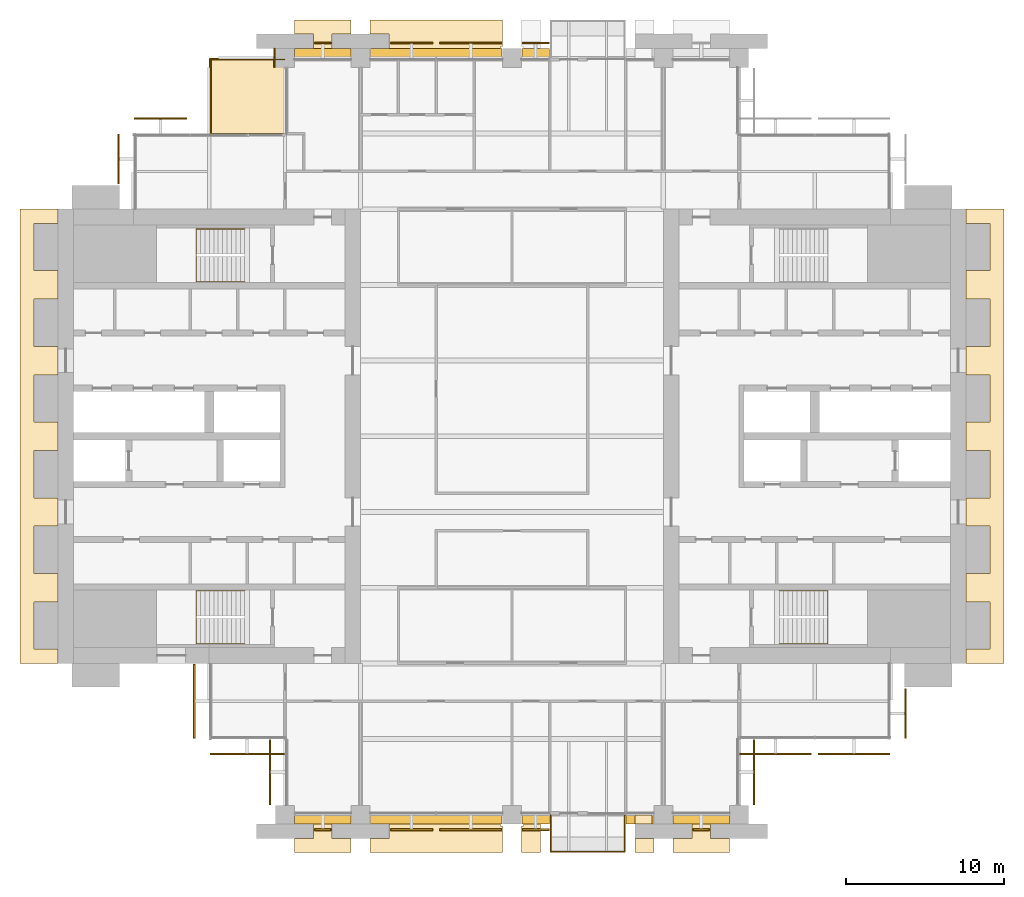
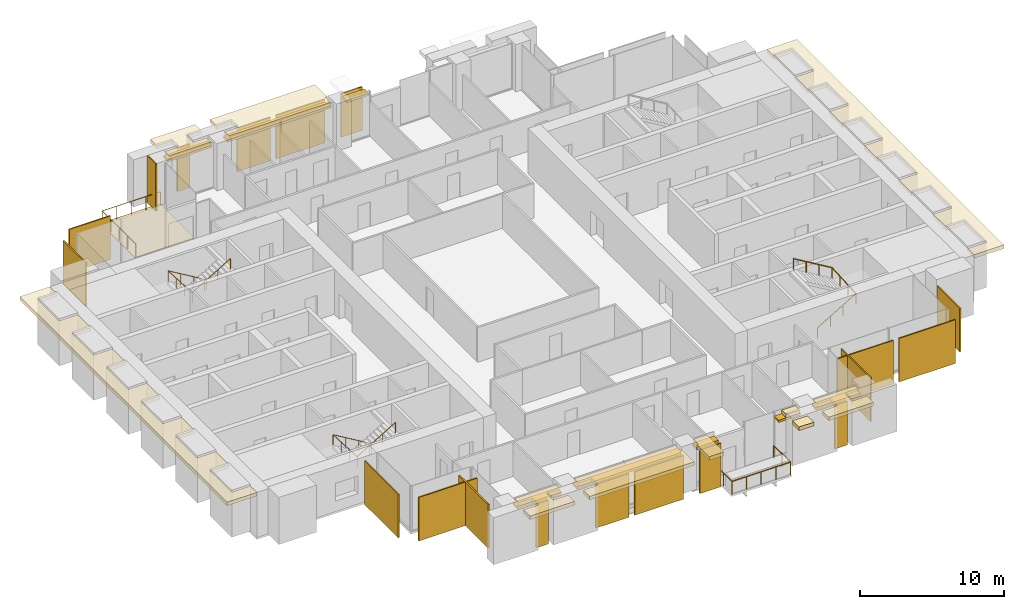
# One storey, part 14 of 15: 30 coverings, 8 shading devices, 5 railings.
"""IFC4 building model written with IfcOpenShell, lengths in metres."""

from ifc_helpers import new_model, si_unit, direction, frame, origin, origin_2d, place, context, subcontext, project, spatial, polyline, rectangle, circle, outline, extrude, material, layer, layer_set, type_object, element, save


model = new_model("IFC4")

# Units and contexts
model_context = context("Model", 3, precision=1e-05, world=origin(), true_north=direction((0.0, 1.0)))
body_context = subcontext(model_context, "Body", "Model", "MODEL_VIEW")
ifc_project = project(units=[si_unit("LENGTHUNIT", "METRE"), si_unit("AREAUNIT", "SQUARE_METRE"), si_unit("VOLUMEUNIT", "CUBIC_METRE"), si_unit("PLANEANGLEUNIT", "RADIAN"), si_unit("MASSUNIT", "GRAM", prefix="KILO")], contexts=[model_context])

# Site, building, storey
site_placement = place(None, origin())
site = spatial("IfcSite", under=ifc_project, at=site_placement, CompositionType="ELEMENT")
building_placement = place(site_placement, origin())
building = spatial("IfcBuilding", under=site, at=building_placement, Name="Baori Bourse Tower", CompositionType="ELEMENT")
storey_placement = place(building_placement, frame((0.0, 0.0, 116.10009765625)))
storey = spatial("IfcBuildingStorey", under=building, at=storey_placement, Name="L24", CompositionType="ELEMENT", Elevation=116.10009765625)

# Coverings
ifc_material_1 = material(Name="Pale anodised aluminium", Category="aluminium")
covering_type_1 = type_object("IfcCoveringType", Name="BD1 Pale metal band", PredefinedType="CLADDING", material=ifc_material_1)
covering_1_placement = place(storey_placement, frame((0.0, 0.0, 3.539794921875)))
element("IfcCovering", 1, at=covering_1_placement, inside=storey, type_object=covering_type_1, Name="Pale projecting band L24 1", PredefinedType="CLADDING", context=body_context, shape_type="SweptSolid", body=[
    extrude(outline(polyline([(57.60009765625, 10.5), (57.60009765625, 9.60009765625), (60.0, 9.60009765625), (60.0, 38.39990234375), (57.60009765625, 38.39990234375), (57.60009765625, 37.5), (59.10009765625, 37.5), (59.10009765625, 34.5), (57.60009765625, 34.5), (57.60009765625, 32.699951171875), (59.10009765625, 32.699951171875), (59.10009765625, 29.699951171875), (57.60009765625, 29.699951171875), (57.60009765625, 27.89990234375), (59.10009765625, 27.89990234375), (59.10009765625, 24.89990234375), (57.60009765625, 24.89990234375), (57.60009765625, 23.10009765625), (59.10009765625, 23.10009765625), (59.10009765625, 20.10009765625), (57.60009765625, 20.10009765625), (57.60009765625, 18.300048828125), (59.10009765625, 18.300048828125), (59.10009765625, 15.300048828125), (57.60009765625, 15.300048828125), (57.60009765625, 13.5), (59.10009765625, 13.5), (59.10009765625, 10.5), (57.60009765625, 10.5)])), origin(), (0.0, 0.0, 1.0), 0.300048828125),
])
covering_2_placement = place(storey_placement, frame((0.0, 0.0, 3.539794921875)))
element("IfcCovering", 2, at=covering_2_placement, inside=storey, type_object=covering_type_1, Name="Pale projecting band L24 6", PredefinedType="CLADDING", context=body_context, shape_type="SweptSolid", body=[
    extrude(outline(polyline([(19.919921875, 48.0), (28.080078125, 48.0), (28.080078125, 48.719970703125), (28.199951171875, 48.719970703125), (28.199951171875, 50.39990234375), (19.800048828125, 50.39990234375), (19.800048828125, 49.5), (21.0, 49.5), (21.0, 48.60009765625), (19.919921875, 48.60009765625), (19.919921875, 48.0)])), origin(), (0.0, 0.0, 1.0), 0.300048828125),
])
covering_3_placement = place(storey_placement, frame((0.0, 0.0, 3.539794921875)))
element("IfcCovering", 3, at=covering_3_placement, inside=storey, type_object=covering_type_1, Name="Pale projecting band L24 7", PredefinedType="CLADDING", context=body_context, shape_type="SweptSolid", body=[
    extrude(outline(polyline([(15.1201171875, 48.0), (18.47998046875, 48.0), (18.47998046875, 48.60009765625), (17.39990234375, 48.60009765625), (17.39990234375, 49.5), (18.60009765625, 49.5), (18.60009765625, 50.39990234375), (15.0, 50.39990234375), (15.0, 49.5), (16.199951171875, 49.5), (16.199951171875, 48.60009765625), (15.1201171875, 48.60009765625), (15.1201171875, 48.0)])), origin(), (0.0, 0.0, 1.0), 0.300048828125),
])
covering_4_placement = place(storey_placement, frame((0.0, 0.0, 3.539794921875)))
element("IfcCovering", 4, at=covering_4_placement, inside=storey, type_object=covering_type_1, Name="Pale projecting band L24 8", PredefinedType="CLADDING", context=body_context, shape_type="SweptSolid", body=[
    extrude(outline(polyline([(0.0, 37.5), (0.0, 38.39990234375), (-2.39990234375, 38.39990234375), (-2.39990234375, 9.60009765625), (0.0, 9.60009765625), (0.0, 10.5), (-1.5, 10.5), (-1.5, 13.5), (0.0, 13.5), (0.0, 15.300048828125), (-1.5, 15.300048828125), (-1.5, 18.300048828125), (0.0, 18.300048828125), (0.0, 20.10009765625), (-1.5, 20.10009765625), (-1.5, 23.10009765625), (0.0, 23.10009765625), (0.0, 24.89990234375), (-1.5, 24.89990234375), (-1.5, 27.89990234375), (0.0, 27.89990234375), (0.0, 29.699951171875), (-1.5, 29.699951171875), (-1.5, 32.699951171875), (0.0, 32.699951171875), (0.0, 34.5), (-1.5, 34.5), (-1.5, 37.5), (0.0, 37.5)])), origin(), (0.0, 0.0, 1.0), 0.300048828125),
])
covering_5_placement = place(storey_placement, frame((0.0, 0.0, 3.539794921875)))
element("IfcCovering", 5, at=covering_5_placement, inside=storey, type_object=covering_type_1, Name="Pale projecting band L24 9", PredefinedType="CLADDING", context=body_context, shape_type="SweptSolid", body=[
    extrude(outline(polyline([(18.47998046875, 0.0), (15.1201171875, 0.0), (15.1201171875, -0.60009765625), (16.199951171875, -0.60009765625), (16.199951171875, -1.5), (15.0, -1.5), (15.0, -2.39990234375), (18.60009765625, -2.39990234375), (18.60009765625, -1.5), (17.39990234375, -1.5), (17.39990234375, -0.60009765625), (18.47998046875, -0.60009765625), (18.47998046875, 0.0)])), origin(), (0.0, 0.0, 1.0), 0.300048828125),
])
covering_6_placement = place(storey_placement, frame((0.0, 0.0, 3.539794921875)))
element("IfcCovering", 6, at=covering_6_placement, inside=storey, type_object=covering_type_1, Name="Pale projecting band L24 10", PredefinedType="CLADDING", context=body_context, shape_type="SweptSolid", body=[
    extrude(outline(polyline([(28.080078125, 0.0), (19.919921875, 0.0), (19.919921875, -0.60009765625), (21.0, -0.60009765625), (21.0, -1.5), (19.800048828125, -1.5), (19.800048828125, -2.39990234375), (28.199951171875, -2.39990234375), (28.199951171875, -0.719970703125), (28.080078125, -0.719970703125), (28.080078125, 0.0)])), origin(), (0.0, 0.0, 1.0), 0.300048828125),
])
covering_7_placement = place(storey_placement, frame((0.0, 0.0, 3.539794921875)))
element("IfcCovering", 7, at=covering_7_placement, inside=storey, type_object=covering_type_1, Name="Pale projecting band L24 11", PredefinedType="CLADDING", context=body_context, shape_type="SweptSolid", body=[
    extrude(outline(polyline([(30.60009765625, 0.0), (29.52001953125, 0.0), (29.52001953125, -0.719970703125), (29.39990234375, -0.719970703125), (29.39990234375, -2.39990234375), (30.60009765625, -2.39990234375), (30.60009765625, 0.0)])), origin(), (0.0, 0.0, 1.0), 0.300048828125),
])
covering_8_placement = place(storey_placement, frame((0.0, 0.0, 3.539794921875)))
element("IfcCovering", 8, at=covering_8_placement, inside=storey, type_object=covering_type_1, Name="Pale projecting band L24 12", PredefinedType="CLADDING", context=body_context, shape_type="SweptSolid", body=[
    extrude(outline(polyline([(37.800048828125, -2.39990234375), (37.800048828125, -1.5), (36.60009765625, -1.5), (36.60009765625, -2.39990234375), (37.800048828125, -2.39990234375)])), origin(), (0.0, 0.0, 1.0), 0.300048828125),
])
covering_9_placement = place(storey_placement, frame((0.0, 0.0, 3.539794921875)))
element("IfcCovering", 9, at=covering_9_placement, inside=storey, type_object=covering_type_1, Name="Pale projecting band L24 13", PredefinedType="CLADDING", context=body_context, shape_type="SweptSolid", body=[
    extrude(outline(polyline([(37.679931640625, 0.0), (36.60009765625, 0.0), (36.60009765625, -0.60009765625), (37.679931640625, -0.60009765625), (37.679931640625, 0.0)])), origin(), (0.0, 0.0, 1.0), 0.300048828125),
])
covering_10_placement = place(storey_placement, frame((0.0, 0.0, 3.539794921875)))
element("IfcCovering", 10, at=covering_10_placement, inside=storey, type_object=covering_type_1, Name="Pale projecting band L24 14", PredefinedType="CLADDING", context=body_context, shape_type="SweptSolid", body=[
    extrude(outline(polyline([(42.47998046875, 0.0), (39.1201171875, 0.0), (39.1201171875, -0.60009765625), (40.199951171875, -0.60009765625), (40.199951171875, -1.5), (39.0, -1.5), (39.0, -2.39990234375), (42.60009765625, -2.39990234375), (42.60009765625, -1.5), (41.39990234375, -1.5), (41.39990234375, -0.60009765625), (42.47998046875, -0.60009765625), (42.47998046875, 0.0)])), origin(), (0.0, 0.0, 1.0), 0.300048828125),
])

# Shading devices
ifc_material_2 = material(Name="Concrete f'c 40 MPa", Category="concrete")
ifc_layer_1 = layer(ifc_material_2, 0.199951171875)
ifc_layer_set_1 = layer_set([ifc_layer_1], Name="BS1 Brise-soleil ledge")
shading_device_type = type_object("IfcShadingDeviceType", Name="BS1 Brise-soleil ledge", PredefinedType="USERDEFINED", material=ifc_layer_set_1)
shading_device_1_placement = place(storey_placement, frame((30.300048828125, 48.300048828125, 3.33984375), z_axis=(0.0, 0.0, 1.0), x_axis=(-1.0, 0.0, 0.0)))
element("IfcShadingDevice", 11, at=shading_device_1_placement, inside=storey, type_object=shading_device_type, Name="Brise-soleil ledge L24 3", ObjectType="BRISE SOLEIL", PredefinedType="USERDEFINED", context=body_context, shape_type="SweptSolid", body=[
    extrude(rectangle(XDim=1.760009765625, YDim=0.60009765625, at=origin_2d()), origin(), (0.0, 0.0, 1.0), 0.199951171875),
])
shading_device_2_placement = place(storey_placement, frame((24.0, 48.300048828125, 3.33984375), z_axis=(0.0, 0.0, 1.0), x_axis=(-1.0, 0.0, 0.0)))
element("IfcShadingDevice", 12, at=shading_device_2_placement, inside=storey, type_object=shading_device_type, Name="Brise-soleil ledge L24 4", ObjectType="BRISE SOLEIL", PredefinedType="USERDEFINED", context=body_context, shape_type="SweptSolid", body=[
    extrude(rectangle(XDim=8.360107421875, YDim=0.60009765625, at=origin_2d()), origin(), (0.0, 0.0, 1.0), 0.199951171875),
])
for number, where, z_axis, x_axis, name in (
    (13, (16.800048828125, 48.300048828125, 3.33984375), (0.0, 0.0, 1.0), (-1.0, 0.0, 0.0), "Brise-soleil ledge L24 5"),
    (14, (16.800048828125, -0.300048828125, 3.33984375), (0.0, 0.0, 1.0), (1.0, 0.0, 0.0), "Brise-soleil ledge L24 6"),
):
    element("IfcShadingDevice", number, at=place(storey_placement, frame(where, z_axis=z_axis, x_axis=x_axis)), inside=storey, type_object=shading_device_type, Name=name, ObjectType="BRISE SOLEIL", PredefinedType="USERDEFINED", context=body_context, shape_type="SweptSolid", body=[
        extrude(rectangle(XDim=3.56005859375, YDim=0.60009765625, at=origin_2d()), origin(), (0.0, 0.0, 1.0), 0.199951171875),
    ])
shading_device_3_placement = place(storey_placement, frame((24.0, -0.300048828125, 3.33984375), z_axis=(0.0, 0.0, 1.0), x_axis=(1.0, 0.0, 0.0)))
element("IfcShadingDevice", 15, at=shading_device_3_placement, inside=storey, type_object=shading_device_type, Name="Brise-soleil ledge L24 7", ObjectType="BRISE SOLEIL", PredefinedType="USERDEFINED", context=body_context, shape_type="SweptSolid", body=[
    extrude(rectangle(XDim=8.360107421875, YDim=0.60009765625, at=origin_2d()), origin(), (0.0, 0.0, 1.0), 0.199951171875),
])
for number, where, z_axis, x_axis, name in (
    (16, (30.300048828125, -0.300048828125, 3.33984375), (0.0, 0.0, 1.0), (1.0, 0.0, 0.0), "Brise-soleil ledge L24 8"),
    (17, (36.89990234375, -0.300048828125, 3.33984375), (0.0, 0.0, 1.0), (1.0, 0.0, 0.0), "Brise-soleil ledge L24 9"),
):
    element("IfcShadingDevice", number, at=place(storey_placement, frame(where, z_axis=z_axis, x_axis=x_axis)), inside=storey, type_object=shading_device_type, Name=name, ObjectType="BRISE SOLEIL", PredefinedType="USERDEFINED", context=body_context, shape_type="SweptSolid", body=[
        extrude(rectangle(XDim=1.760009765625, YDim=0.60009765625, at=origin_2d()), origin(), (0.0, 0.0, 1.0), 0.199951171875),
    ])
shading_device_4_placement = place(storey_placement, frame((40.800048828125, -0.300048828125, 3.33984375), z_axis=(0.0, 0.0, 1.0), x_axis=(1.0, 0.0, 0.0)))
element("IfcShadingDevice", 18, at=shading_device_4_placement, inside=storey, type_object=shading_device_type, Name="Brise-soleil ledge L24 10", ObjectType="BRISE SOLEIL", PredefinedType="USERDEFINED", context=body_context, shape_type="SweptSolid", body=[
    extrude(rectangle(XDim=3.56005859375, YDim=0.60009765625, at=origin_2d()), origin(), (0.0, 0.0, 1.0), 0.199951171875),
])

# Railings
ifc_material_3 = material(Name="Powder-coated steel balustrade", Category="steel")
railing_type_1 = type_object("IfcRailingType", Name="Core stair handrail", PredefinedType="HANDRAIL", material=ifc_material_3)
railing_1_placement = place(storey_placement, frame((11.85009765625, 14.199951171875, 0.16650390625)))
element("IfcRailing", 19, at=railing_1_placement, inside=storey, type_object=railing_type_1, Name="L24 ST1 stair handrail 1", PredefinedType="HANDRAIL", context=body_context, shape_type="SweptSolid", body=[
    extrude(circle(Radius=0.02392578125, at=origin_2d()), frame((0.0, 0.0, 0.8759765625), z_axis=(-0.85927862911, 0.0, 0.511507807912), x_axis=(0.0, -1.0, 0.0)), (0.0, 0.0, 1.0), 3.58447265625),
    extrude(circle(Radius=0.02392578125, at=origin_2d()), frame((-3.080078125, 0.0, 2.70947265625), z_axis=(0.0, -0.998766999029, 0.049643545903), x_axis=(1.0, 0.0, 0.0)), (0.0, 0.0, 1.0), 3.35400390625),
    extrude(circle(Radius=0.02392578125, at=origin_2d()), frame((-3.080078125, -3.349853515625, 2.8759765625), z_axis=(0.85927862911, 0.0, 0.511507807912), x_axis=(0.0, 1.0, 0.0)), (0.0, 0.0, 1.0), 3.58447265625),
    extrude(circle(Radius=0.02099609375, at=origin_2d()), origin(), (0.0, 0.0, 1.0), 0.851806640625),
    extrude(circle(Radius=0.02099609375, at=origin_2d()), frame((-1.026611328125, 0.0, 0.611083984375)), (0.0, 0.0, 1.0), 0.851806640625),
    extrude(circle(Radius=0.02099609375, at=origin_2d()), frame((-2.053466796875, 0.0, 1.222412109375)), (0.0, 0.0, 1.0), 0.851806640625),
    extrude(circle(Radius=0.02099609375, at=origin_2d()), frame((-3.080078125, 0.0, 1.83349609375)), (0.0, 0.0, 1.0), 0.851806640625),
    extrude(circle(Radius=0.02099609375, at=origin_2d()), frame((-3.080078125, -1.11669921875, 1.888916015625)), (0.0, 0.0, 1.0), 0.851806640625),
    extrude(circle(Radius=0.02099609375, at=origin_2d()), frame((-3.080078125, -2.233154296875, 1.944580078125)), (0.0, 0.0, 1.0), 0.851806640625),
    extrude(circle(Radius=0.02099609375, at=origin_2d()), frame((-3.080078125, -3.349853515625, 2.0)), (0.0, 0.0, 1.0), 0.851806640625),
    extrude(circle(Radius=0.02099609375, at=origin_2d()), frame((-2.053466796875, -3.349853515625, 2.611083984375)), (0.0, 0.0, 1.0), 0.851806640625),
    extrude(circle(Radius=0.02099609375, at=origin_2d()), frame((-1.026611328125, -3.349853515625, 3.222412109375)), (0.0, 0.0, 1.0), 0.851806640625),
    extrude(circle(Radius=0.02099609375, at=origin_2d()), frame((0.0, -3.349853515625, 3.83349609375)), (0.0, 0.0, 1.0), 0.851806640625),
])
railing_2_placement = place(storey_placement, frame((11.85009765625, 37.14990234375, 0.16650390625)))
element("IfcRailing", 20, at=railing_2_placement, inside=storey, type_object=railing_type_1, Name="L24 ST2 stair handrail 1", PredefinedType="HANDRAIL", context=body_context, shape_type="SweptSolid", body=[
    extrude(circle(Radius=0.02392578125, at=origin_2d()), frame((0.0, 0.0, 0.8759765625), z_axis=(-0.85927862911, 0.0, 0.511507807912), x_axis=(0.0, -1.0, 0.0)), (0.0, 0.0, 1.0), 3.58447265625),
    extrude(circle(Radius=0.02392578125, at=origin_2d()), frame((-3.080078125, 0.0, 2.70947265625), z_axis=(0.0, -0.998766999029, 0.049643545903), x_axis=(1.0, 0.0, 0.0)), (0.0, 0.0, 1.0), 3.35400390625),
    extrude(circle(Radius=0.02392578125, at=origin_2d()), frame((-3.080078125, -3.349853515625, 2.8759765625), z_axis=(0.85927862911, 0.0, 0.511507807912), x_axis=(0.0, 1.0, 0.0)), (0.0, 0.0, 1.0), 3.58447265625),
    extrude(circle(Radius=0.02099609375, at=origin_2d()), origin(), (0.0, 0.0, 1.0), 0.851806640625),
    extrude(circle(Radius=0.02099609375, at=origin_2d()), frame((-1.026611328125, 0.0, 0.611083984375)), (0.0, 0.0, 1.0), 0.851806640625),
    extrude(circle(Radius=0.02099609375, at=origin_2d()), frame((-2.053466796875, 0.0, 1.222412109375)), (0.0, 0.0, 1.0), 0.851806640625),
    extrude(circle(Radius=0.02099609375, at=origin_2d()), frame((-3.080078125, 0.0, 1.83349609375)), (0.0, 0.0, 1.0), 0.851806640625),
    extrude(circle(Radius=0.02099609375, at=origin_2d()), frame((-3.080078125, -1.11669921875, 1.888916015625)), (0.0, 0.0, 1.0), 0.851806640625),
    extrude(circle(Radius=0.02099609375, at=origin_2d()), frame((-3.080078125, -2.233154296875, 1.944580078125)), (0.0, 0.0, 1.0), 0.851806640625),
    extrude(circle(Radius=0.02099609375, at=origin_2d()), frame((-3.080078125, -3.349853515625, 2.0)), (0.0, 0.0, 1.0), 0.851806640625),
    extrude(circle(Radius=0.02099609375, at=origin_2d()), frame((-2.053466796875, -3.349853515625, 2.611083984375)), (0.0, 0.0, 1.0), 0.851806640625),
    extrude(circle(Radius=0.02099609375, at=origin_2d()), frame((-1.026611328125, -3.349853515625, 3.222412109375)), (0.0, 0.0, 1.0), 0.851806640625),
    extrude(circle(Radius=0.02099609375, at=origin_2d()), frame((0.0, -3.349853515625, 3.83349609375)), (0.0, 0.0, 1.0), 0.851806640625),
])
railing_3_placement = place(storey_placement, frame((45.75, 10.85009765625, 0.16650390625)))
element("IfcRailing", 21, at=railing_3_placement, inside=storey, type_object=railing_type_1, Name="L24 ST3 stair handrail 1", PredefinedType="HANDRAIL", context=body_context, shape_type="SweptSolid", body=[
    extrude(circle(Radius=0.02392578125, at=origin_2d()), frame((0.0, 0.0, 0.8759765625), z_axis=(0.85927862911, 0.0, 0.511507807912), x_axis=(0.0, 1.0, 0.0)), (0.0, 0.0, 1.0), 3.58447265625),
    extrude(circle(Radius=0.02392578125, at=origin_2d()), frame((3.080078125, 0.0, 2.70947265625), z_axis=(0.0, 0.998766999029, 0.049643545903), x_axis=(-1.0, 0.0, 0.0)), (0.0, 0.0, 1.0), 3.35400390625),
    extrude(circle(Radius=0.02392578125, at=origin_2d()), frame((3.080078125, 3.349853515625, 2.8759765625), z_axis=(-0.85927862911, 0.0, 0.511507807912), x_axis=(0.0, -1.0, 0.0)), (0.0, 0.0, 1.0), 3.58447265625),
    extrude(circle(Radius=0.02099609375, at=origin_2d()), origin(), (0.0, 0.0, 1.0), 0.851806640625),
    extrude(circle(Radius=0.02099609375, at=origin_2d()), frame((1.026611328125, 0.0, 0.611083984375)), (0.0, 0.0, 1.0), 0.851806640625),
    extrude(circle(Radius=0.02099609375, at=origin_2d()), frame((2.053466796875, 0.0, 1.222412109375)), (0.0, 0.0, 1.0), 0.851806640625),
    extrude(circle(Radius=0.02099609375, at=origin_2d()), frame((3.080078125, 0.0, 1.83349609375)), (0.0, 0.0, 1.0), 0.851806640625),
    extrude(circle(Radius=0.02099609375, at=origin_2d()), frame((3.080078125, 1.11669921875, 1.888916015625)), (0.0, 0.0, 1.0), 0.851806640625),
    extrude(circle(Radius=0.02099609375, at=origin_2d()), frame((3.080078125, 2.233154296875, 1.944580078125)), (0.0, 0.0, 1.0), 0.851806640625),
    extrude(circle(Radius=0.02099609375, at=origin_2d()), frame((3.080078125, 3.349853515625, 2.0)), (0.0, 0.0, 1.0), 0.851806640625),
    extrude(circle(Radius=0.02099609375, at=origin_2d()), frame((2.053466796875, 3.349853515625, 2.611083984375)), (0.0, 0.0, 1.0), 0.851806640625),
    extrude(circle(Radius=0.02099609375, at=origin_2d()), frame((1.026611328125, 3.349853515625, 3.222412109375)), (0.0, 0.0, 1.0), 0.851806640625),
    extrude(circle(Radius=0.02099609375, at=origin_2d()), frame((0.0, 3.349853515625, 3.83349609375)), (0.0, 0.0, 1.0), 0.851806640625),
])
ifc_material_4 = material(Name="Stainless steel", Category="steel")
railing_type_2 = type_object("IfcRailingType", Name="GD1 Guard", PredefinedType="GUARDRAIL", material=ifc_material_4)
railing_4_placement = place(storey_placement, frame((9.699951171875, 43.22998046875, 0.039794921875)))
element("IfcRailing", 22, at=railing_4_placement, inside=storey, type_object=railing_type_2, Name="Guard terrace NW L24 1", PredefinedType="GUARDRAIL", context=body_context, shape_type="SweptSolid", body=[
    extrude(circle(Radius=0.02392578125, at=origin_2d()), frame((0.0, 0.0, 1.076171875), z_axis=(0.0, 1.0, 0.0), x_axis=(-1.0, 0.0, 0.0)), (0.0, 0.0, 1.0), 4.669921875),
    extrude(circle(Radius=0.02392578125, at=origin_2d()), frame((0.0, 4.669921875, 1.076171875), z_axis=(1.0, 0.0, 0.0), x_axis=(0.0, 1.0, 0.0)), (0.0, 0.0, 1.0), 4.670166015625),
    extrude(circle(Radius=0.02099609375, at=origin_2d()), origin(), (0.0, 0.0, 1.0), 1.052001953125),
    extrude(circle(Radius=0.02099609375, at=origin_2d()), frame((0.0, 1.16748046875, 0.0)), (0.0, 0.0, 1.0), 1.052001953125),
    extrude(circle(Radius=0.02099609375, at=origin_2d()), frame((0.0, 2.3349609375, 0.0)), (0.0, 0.0, 1.0), 1.052001953125),
    extrude(circle(Radius=0.02099609375, at=origin_2d()), frame((0.0, 3.50244140625, 0.0)), (0.0, 0.0, 1.0), 1.052001953125),
    extrude(circle(Radius=0.02099609375, at=origin_2d()), frame((0.0, 4.669921875, 0.0)), (0.0, 0.0, 1.0), 1.052001953125),
    extrude(circle(Radius=0.02099609375, at=origin_2d()), frame((1.16748046875, 4.669921875, 0.0)), (0.0, 0.0, 1.0), 1.052001953125),
    extrude(circle(Radius=0.02099609375, at=origin_2d()), frame((2.3349609375, 4.669921875, 0.0)), (0.0, 0.0, 1.0), 1.052001953125),
    extrude(circle(Radius=0.02099609375, at=origin_2d()), frame((3.502685546875, 4.669921875, 0.0)), (0.0, 0.0, 1.0), 1.052001953125),
    extrude(circle(Radius=0.02099609375, at=origin_2d()), frame((4.670166015625, 4.669921875, 0.0)), (0.0, 0.0, 1.0), 1.052001953125),
])
railing_5_placement = place(storey_placement, frame((31.25, -0.030029296875, 0.0)))
element("IfcRailing", 23, at=railing_5_placement, inside=storey, type_object=railing_type_2, Name="Guard balcony S L24 2", PredefinedType="GUARDRAIL", context=body_context, shape_type="SweptSolid", body=[
    extrude(circle(Radius=0.02392578125, at=origin_2d()), frame((0.0, 0.0, 1.076171875), z_axis=(0.0, -1.0, 0.0), x_axis=(1.0, 0.0, 0.0)), (0.0, 0.0, 1.0), 2.320068359375),
    extrude(circle(Radius=0.02392578125, at=origin_2d()), frame((0.0, -2.320068359375, 1.076171875), z_axis=(1.0, 0.0, 0.0), x_axis=(0.0, 1.0, 0.0)), (0.0, 0.0, 1.0), 4.699951171875),
    extrude(circle(Radius=0.02392578125, at=origin_2d()), frame((4.699951171875, -2.320068359375, 1.076171875), z_axis=(0.0, 1.0, 0.0), x_axis=(-1.0, 0.0, 0.0)), (0.0, 0.0, 1.0), 2.320068359375),
    extrude(circle(Radius=0.02099609375, at=origin_2d()), origin(), (0.0, 0.0, 1.0), 1.052001953125),
    extrude(circle(Radius=0.02099609375, at=origin_2d()), frame((0.0, -1.16015625, 0.0)), (0.0, 0.0, 1.0), 1.052001953125),
    extrude(circle(Radius=0.02099609375, at=origin_2d()), frame((0.0, -2.320068359375, 0.0)), (0.0, 0.0, 1.0), 1.052001953125),
    extrude(circle(Radius=0.02099609375, at=origin_2d()), frame((1.175048828125, -2.320068359375, 0.0)), (0.0, 0.0, 1.0), 1.052001953125),
    extrude(circle(Radius=0.02099609375, at=origin_2d()), frame((2.35009765625, -2.320068359375, 0.0)), (0.0, 0.0, 1.0), 1.052001953125),
    extrude(circle(Radius=0.02099609375, at=origin_2d()), frame((3.52490234375, -2.320068359375, 0.0)), (0.0, 0.0, 1.0), 1.052001953125),
    extrude(circle(Radius=0.02099609375, at=origin_2d()), frame((4.699951171875, -2.320068359375, 0.0)), (0.0, 0.0, 1.0), 1.052001953125),
    extrude(circle(Radius=0.02099609375, at=origin_2d()), frame((4.699951171875, -1.16015625, 0.0)), (0.0, 0.0, 1.0), 1.052001953125),
    extrude(circle(Radius=0.02099609375, at=origin_2d()), frame((4.699951171875, 0.0, 0.0)), (0.0, 0.0, 1.0), 1.052001953125),
])

# Coverings
ifc_material_5 = material(Name="Pale anodised aluminium", Category="aluminium")
ifc_layer_2 = layer(ifc_material_5, 0.10009765625)
ifc_layer_set_2 = layer_set([ifc_layer_2], Name="OS3 Outer skin screen panel")
covering_type_2 = type_object("IfcCoveringType", Name="OS3 Outer skin screen panel", PredefinedType="CLADDING", material=ifc_layer_set_2)
covering_11_placement = place(storey_placement, frame((0.0, 0.0, -0.16015625)))
element("IfcCovering", 24, at=covering_11_placement, inside=storey, type_object=covering_type_2, Name="Outer skin screen L24 6", PredefinedType="CLADDING", context=body_context, shape_type="SweptSolid", body=[
    extrude(outline(polyline([(29.449951171875, 48.89990234375), (31.14990234375, 48.89990234375), (31.14990234375, 49.0), (29.449951171875, 49.0), (29.449951171875, 48.89990234375)])), origin(), (0.0, 0.0, 1.0), 3.699951171875),
])
covering_12_placement = place(storey_placement, frame((0.0, 0.0, -0.16015625)))
element("IfcCovering", 25, at=covering_12_placement, inside=storey, type_object=covering_type_2, Name="Outer skin screen L24 7", PredefinedType="CLADDING", context=body_context, shape_type="SweptSolid", body=[
    extrude(outline(polyline([(24.22509765625, 48.89990234375), (28.14990234375, 48.89990234375), (28.14990234375, 49.0), (24.22509765625, 49.0), (24.22509765625, 48.89990234375)])), origin(), (0.0, 0.0, 1.0), 3.699951171875),
])
covering_13_placement = place(storey_placement, frame((0.0, 0.0, -0.16015625)))
element("IfcCovering", 26, at=covering_13_placement, inside=storey, type_object=covering_type_2, Name="Outer skin screen L24 8", PredefinedType="CLADDING", context=body_context, shape_type="SweptSolid", body=[
    extrude(outline(polyline([(21.10009765625, 48.89990234375), (23.77490234375, 48.89990234375), (23.77490234375, 49.0), (21.10009765625, 49.0), (21.10009765625, 48.89990234375)])), origin(), (0.0, 0.0, 1.0), 3.699951171875),
])
covering_14_placement = place(storey_placement, frame((0.0, 0.0, -0.16015625)))
element("IfcCovering", 27, at=covering_14_placement, inside=storey, type_object=covering_type_2, Name="Outer skin screen L24 9", PredefinedType="CLADDING", context=body_context, shape_type="SweptSolid", body=[
    extrude(outline(polyline([(16.300048828125, 48.89990234375), (17.300048828125, 48.89990234375), (17.300048828125, 49.0), (16.300048828125, 49.0), (16.300048828125, 48.89990234375)])), origin(), (0.0, 0.0, 1.0), 3.699951171875),
])
covering_15_placement = place(storey_placement, frame((0.0, 0.0, -0.16015625)))
element("IfcCovering", 28, at=covering_15_placement, inside=storey, type_object=covering_type_2, Name="Outer skin screen L24 10", PredefinedType="CLADDING", context=body_context, shape_type="SweptSolid", body=[
    extrude(outline(polyline([(4.85009765625, 44.10009765625), (8.175048828125, 44.10009765625), (8.175048828125, 44.199951171875), (4.85009765625, 44.199951171875), (4.85009765625, 44.10009765625)])), origin(), (0.0, 0.0, 1.0), 3.699951171875),
])
covering_16_placement = place(storey_placement, frame((0.0, 0.0, -0.16015625)))
element("IfcCovering", 29, at=covering_16_placement, inside=storey, type_object=covering_type_2, Name="Outer skin screen L24 11", PredefinedType="CLADDING", context=body_context, shape_type="SweptSolid", body=[
    extrude(outline(polyline([(3.89990234375, 40.0), (3.89990234375, 43.14990234375), (3.800048828125, 43.14990234375), (3.800048828125, 40.0), (3.89990234375, 40.0), (3.89990234375, 40.0)])), origin(), (0.0, 0.0, 1.0), 3.699951171875),
])
covering_17_placement = place(storey_placement, frame((0.0, 0.0, -0.16015625)))
element("IfcCovering", 30, at=covering_17_placement, inside=storey, type_object=covering_type_2, Name="Outer skin screen L24 12", PredefinedType="CLADDING", context=body_context, shape_type="SweptSolid", body=[
    extrude(outline(polyline([(8.699951171875, 4.85009765625), (8.699951171875, 9.550048828125), (8.60009765625, 9.550048828125), (8.60009765625, 4.85009765625), (8.699951171875, 4.85009765625)])), origin(), (0.0, 0.0, 1.0), 3.699951171875),
])
covering_18_placement = place(storey_placement, frame((0.0, 0.0, -0.16015625)))
element("IfcCovering", 31, at=covering_18_placement, inside=storey, type_object=covering_type_2, Name="Outer skin screen L24 13", PredefinedType="CLADDING", context=body_context, shape_type="SweptSolid", body=[
    extrude(outline(polyline([(14.35009765625, 3.89990234375), (9.64990234375, 3.89990234375), (9.64990234375, 3.800048828125), (14.35009765625, 3.800048828125), (14.35009765625, 3.89990234375)])), origin(), (0.0, 0.0, 1.0), 3.699951171875),
])
covering_19_placement = place(storey_placement, frame((0.0, 0.0, -0.16015625)))
element("IfcCovering", 32, at=covering_19_placement, inside=storey, type_object=covering_type_2, Name="Outer skin screen L24 14", PredefinedType="CLADDING", context=body_context, shape_type="SweptSolid", body=[
    extrude(outline(polyline([(13.5, 0.64990234375), (13.5, 4.75), (13.39990234375, 4.75), (13.39990234375, 0.64990234375), (13.5, 0.64990234375)])), origin(), (0.0, 0.0, 1.0), 3.699951171875),
])
covering_20_placement = place(storey_placement, frame((0.0, 0.0, -0.16015625)))
element("IfcCovering", 33, at=covering_20_placement, inside=storey, type_object=covering_type_2, Name="Outer skin screen L24 15", PredefinedType="CLADDING", context=body_context, shape_type="SweptSolid", body=[
    extrude(outline(polyline([(17.300048828125, -0.89990234375), (16.300048828125, -0.89990234375), (16.300048828125, -1.0), (17.300048828125, -1.0), (17.300048828125, -0.89990234375)])), origin(), (0.0, 0.0, 1.0), 3.699951171875),
])
covering_21_placement = place(storey_placement, frame((0.0, 0.0, -0.16015625)))
element("IfcCovering", 34, at=covering_21_placement, inside=storey, type_object=covering_type_2, Name="Outer skin screen L24 16", PredefinedType="CLADDING", context=body_context, shape_type="SweptSolid", body=[
    extrude(outline(polyline([(23.77490234375, -0.89990234375), (21.10009765625, -0.89990234375), (21.10009765625, -1.0), (23.77490234375, -1.0), (23.77490234375, -0.89990234375)])), origin(), (0.0, 0.0, 1.0), 3.699951171875),
])
covering_22_placement = place(storey_placement, frame((0.0, 0.0, -0.16015625)))
element("IfcCovering", 35, at=covering_22_placement, inside=storey, type_object=covering_type_2, Name="Outer skin screen L24 17", PredefinedType="CLADDING", context=body_context, shape_type="SweptSolid", body=[
    extrude(outline(polyline([(28.14990234375, -0.89990234375), (24.22509765625, -0.89990234375), (24.22509765625, -1.0), (28.14990234375, -1.0), (28.14990234375, -0.89990234375)])), origin(), (0.0, 0.0, 1.0), 3.699951171875),
])
covering_23_placement = place(storey_placement, frame((0.0, 0.0, -0.16015625)))
element("IfcCovering", 36, at=covering_23_placement, inside=storey, type_object=covering_type_2, Name="Outer skin screen L24 18", PredefinedType="CLADDING", context=body_context, shape_type="SweptSolid", body=[
    extrude(outline(polyline([(31.14990234375, -0.89990234375), (29.449951171875, -0.89990234375), (29.449951171875, -1.0), (31.14990234375, -1.0), (31.14990234375, -0.89990234375)])), origin(), (0.0, 0.0, 1.0), 3.699951171875),
])
covering_24_placement = place(storey_placement, frame((0.0, 0.0, -0.16015625)))
element("IfcCovering", 37, at=covering_24_placement, inside=storey, type_object=covering_type_2, Name="Outer skin screen L24 19", PredefinedType="CLADDING", context=body_context, shape_type="SweptSolid", body=[
    extrude(outline(polyline([(41.300048828125, -0.89990234375), (40.300048828125, -0.89990234375), (40.300048828125, -1.0), (41.300048828125, -1.0), (41.300048828125, -0.89990234375)])), origin(), (0.0, 0.0, 1.0), 3.699951171875),
])
covering_25_placement = place(storey_placement, frame((0.0, 0.0, -0.16015625)))
element("IfcCovering", 38, at=covering_25_placement, inside=storey, type_object=covering_type_2, Name="Outer skin screen L24 20", PredefinedType="CLADDING", context=body_context, shape_type="SweptSolid", body=[
    extrude(outline(polyline([(44.10009765625, 4.75), (44.10009765625, 0.64990234375), (44.199951171875, 0.64990234375), (44.199951171875, 4.75), (44.10009765625, 4.75)])), origin(), (0.0, 0.0, 1.0), 3.699951171875),
])
covering_26_placement = place(storey_placement, frame((0.0, 0.0, -0.16015625)))
element("IfcCovering", 39, at=covering_26_placement, inside=storey, type_object=covering_type_2, Name="Outer skin screen L24 21", PredefinedType="CLADDING", context=body_context, shape_type="SweptSolid", body=[
    extrude(outline(polyline([(47.77490234375, 3.89990234375), (43.25, 3.89990234375), (43.25, 3.800048828125), (47.77490234375, 3.800048828125), (47.77490234375, 3.89990234375)])), origin(), (0.0, 0.0, 1.0), 3.699951171875),
])
covering_27_placement = place(storey_placement, frame((0.0, 0.0, -0.16015625)))
element("IfcCovering", 40, at=covering_27_placement, inside=storey, type_object=covering_type_2, Name="Outer skin screen L24 22", PredefinedType="CLADDING", context=body_context, shape_type="SweptSolid", body=[
    extrude(outline(polyline([(52.75, 3.89990234375), (48.22509765625, 3.89990234375), (48.22509765625, 3.800048828125), (52.75, 3.800048828125), (52.75, 3.89990234375)])), origin(), (0.0, 0.0, 1.0), 3.699951171875),
])
covering_28_placement = place(storey_placement, frame((0.0, 0.0, -0.16015625)))
element("IfcCovering", 41, at=covering_28_placement, inside=storey, type_object=covering_type_2, Name="Outer skin screen L24 23", PredefinedType="CLADDING", context=body_context, shape_type="SweptSolid", body=[
    extrude(outline(polyline([(53.699951171875, 8.0), (53.699951171875, 4.85009765625), (53.800048828125, 4.85009765625), (53.800048828125, 8.0), (53.699951171875, 8.0)])), origin(), (0.0, 0.0, 1.0), 3.699951171875),
])
ifc_material_6 = material(Name="Face brick", Category="masonry")
ifc_layer_3 = layer(ifc_material_6, 0.110107421875)
ifc_layer_set_3 = layer_set([ifc_layer_3], Name="PC1 Brick pier facing")
covering_type_3 = type_object("IfcCoveringType", Name="PC1 Brick pier facing", PredefinedType="CLADDING", material=ifc_layer_set_3)
covering_29_placement = place(storey_placement, frame((13.7451171875, 48.0, 0.0), z_axis=(0.0, 0.0, 1.0), x_axis=(1.0, 0.0, 0.0)))
element("IfcCovering", 42, at=covering_29_placement, inside=storey, type_object=covering_type_3, Name="Brick pier facing L24 1", PredefinedType="CLADDING", context=body_context, shape_type="SweptSolid", body=[
    extrude(rectangle(XDim=0.110107421875, YDim=1.199951171875, at=origin_2d()), origin(), (0.0, 0.0, 1.0), 4.0),
])
ifc_material_7 = material(Name="Granite paving", Category="masonry")
ifc_layer_4 = layer(ifc_material_7, 0.0400390625)
ifc_layer_set_4 = layer_set([ifc_layer_4], Name="PV1 Deck paving")
covering_type_4 = type_object("IfcCoveringType", Name="PV1 Deck paving", PredefinedType="FLOORING", material=ifc_layer_set_4)
covering_30_placement = place(storey_placement, origin())
element("IfcCovering", 43, at=covering_30_placement, inside=storey, type_object=covering_type_4, Name="Terrace paving L24 1", PredefinedType="FLOORING", context=body_context, shape_type="SweptSolid", body=[
    extrude(outline(polyline([(14.39990234375, 48.0), (9.60009765625, 48.0), (9.60009765625, 43.199951171875), (14.39990234375, 43.199951171875), (14.39990234375, 48.0)])), origin(), (0.0, 0.0, 1.0), 0.039794921875),
])

save(model, "model.ifc")
